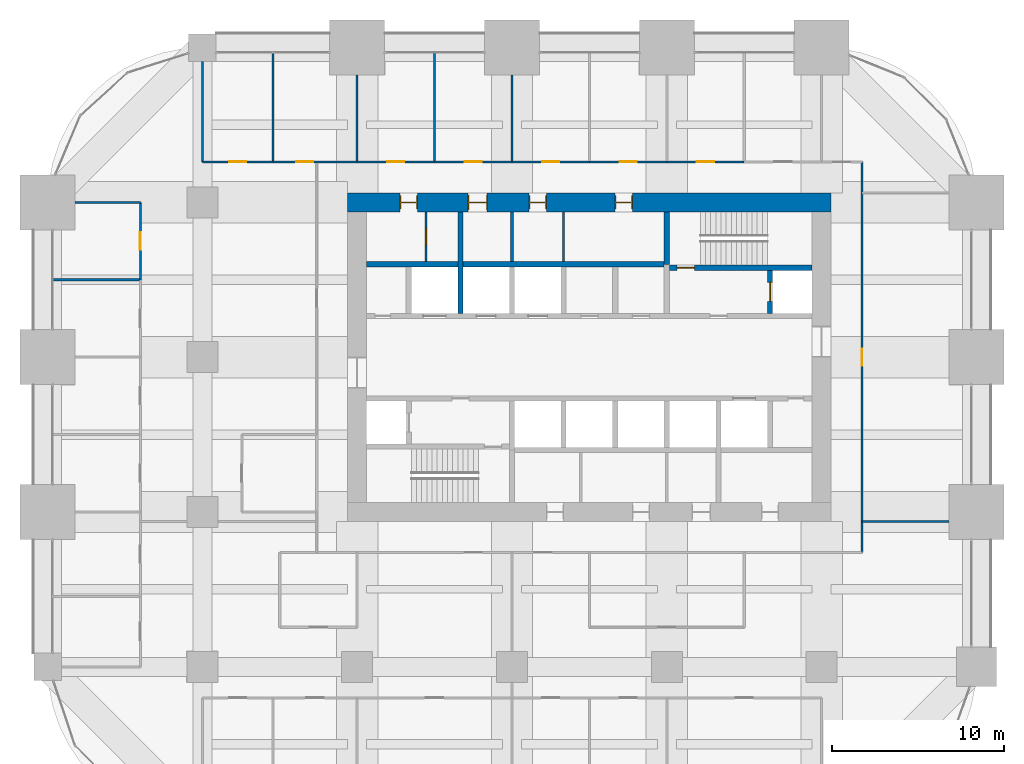
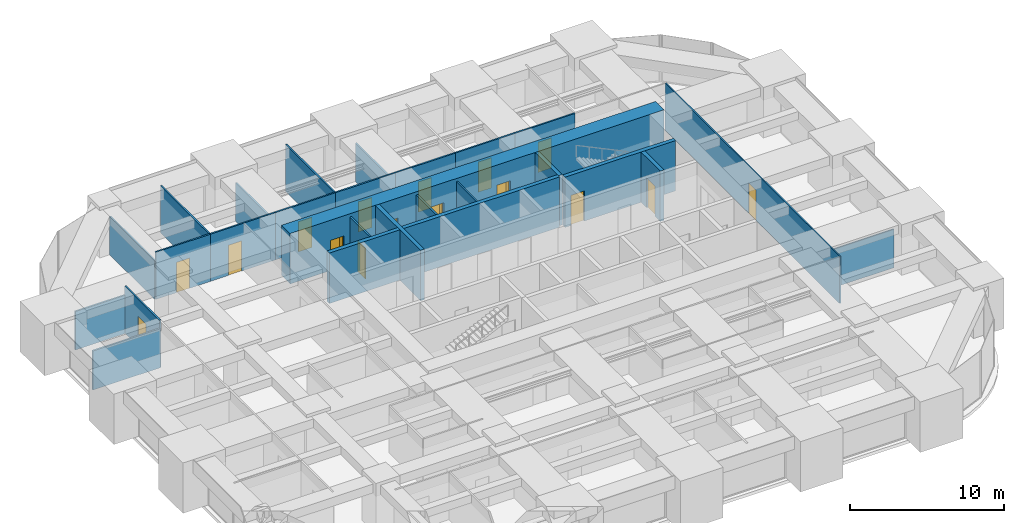
# One storey, part 33 of 36: 26 walls, 16 doors, 16 openings.
"""IFC4 building model written with IfcOpenShell, lengths in metres."""

from ifc_helpers import new_model, si_unit, direction, frame, frame_2d, origin, place, context, subcontext, project, spatial, rectangle, extrude, material, layer, layer_set, type_object, element, fill, save


model = new_model("IFC4")

# Units and contexts
model_context = context("Model", 3, precision=1e-05, world=origin(), true_north=direction((0.0, 1.0)))
body_context = subcontext(model_context, "Body", "Model", "MODEL_VIEW")
ifc_project = project(units=[si_unit("LENGTHUNIT", "METRE"), si_unit("AREAUNIT", "SQUARE_METRE"), si_unit("VOLUMEUNIT", "CUBIC_METRE"), si_unit("PLANEANGLEUNIT", "RADIAN"), si_unit("MASSUNIT", "GRAM", prefix="KILO")], contexts=[model_context])

# Site, building, storey
site_placement = place(None, origin())
site = spatial("IfcSite", under=ifc_project, at=site_placement, CompositionType="ELEMENT")
building_placement = place(site_placement, origin())
building = spatial("IfcBuilding", under=site, at=building_placement, Name="Zorevar Civic Tower", CompositionType="ELEMENT")
storey_placement = place(building_placement, frame((0.0, 0.0, 166.199951171875)))
storey = spatial("IfcBuildingStorey", under=building, at=storey_placement, Name="L40", CompositionType="ELEMENT", Elevation=166.199951171875)

# Wall, openings, doors
ifc_material_1 = material(Name="Concrete C50/60", Category="concrete")
ifc_layer_1 = layer(ifc_material_1, 1.10009765625)
ifc_layer_set_1 = layer_set([ifc_layer_1], Name="Core wall 1100")
wall_type_1 = type_object("IfcWallType", Name="Core wall 1100", PredefinedType="SHEAR", material=ifc_layer_set_1)
wall_1_placement = place(storey_placement, frame((45.550048828125, 36.0, 0.0), z_axis=(0.0, 0.0, 1.0), x_axis=(-1.0, 0.0, 0.0)))
wall_1 = element("IfcWall", 1, at=wall_1_placement, inside=storey, type_object=wall_type_1, Name="Core wall N L40", PredefinedType="SHEAR", context=body_context, shape_type="SweptSolid", body=[
    extrude(rectangle(XDim=28.10009765625, YDim=1.10009765625, at=frame_2d((14.050048828125, 0.0))), origin(), (0.0, 0.0, 1.0), 4.0),
])
opening_1_placement = place(wall_1_placement, frame((11.550048828125, 0.0, 0.0)))
opening_1 = element("IfcOpeningElement", 2, at=opening_1_placement, cuts=wall_1, Name="Opening L40.07", PredefinedType="OPENING", context=body_context, shape_type="SweptSolid", body=[
    extrude(rectangle(XDim=1.0, YDim=2.39990234375, at=frame_2d((0.5, 1.199951171875))), frame((0.0, 0.56005859375, 0.0), z_axis=(0.0, -1.0, 0.0), x_axis=(1.0, 0.0, 0.0)), (0.0, 0.0, 1.0), 1.1201171875),
])
opening_2_placement = place(wall_1_placement, frame((16.550048828125, 0.0, 0.0)))
opening_2 = element("IfcOpeningElement", 3, at=opening_2_placement, cuts=wall_1, Name="Opening L40.08", PredefinedType="OPENING", context=body_context, shape_type="SweptSolid", body=[
    extrude(rectangle(XDim=1.0, YDim=2.39990234375, at=frame_2d((0.5, 1.199951171875))), frame((0.0, 0.56005859375, 0.0), z_axis=(0.0, -1.0, 0.0), x_axis=(1.0, 0.0, 0.0)), (0.0, 0.0, 1.0), 1.1201171875),
])
opening_3_placement = place(wall_1_placement, frame((20.0, 0.0, 0.0)))
opening_3 = element("IfcOpeningElement", 4, at=opening_3_placement, cuts=wall_1, Name="Opening L40.09", PredefinedType="OPENING", context=body_context, shape_type="SweptSolid", body=[
    extrude(rectangle(XDim=1.10009765625, YDim=2.39990234375, at=frame_2d((0.550048828125, 1.199951171875))), frame((0.0, 0.56005859375, 0.0), z_axis=(0.0, -1.0, 0.0), x_axis=(1.0, 0.0, 0.0)), (0.0, 0.0, 1.0), 1.1201171875),
])
opening_4_placement = place(wall_1_placement, frame((24.050048828125, 0.0, 0.0)))
opening_4 = element("IfcOpeningElement", 5, at=opening_4_placement, cuts=wall_1, Name="Opening L40.10", PredefinedType="OPENING", context=body_context, shape_type="SweptSolid", body=[
    extrude(rectangle(XDim=1.0, YDim=2.39990234375, at=frame_2d((0.5, 1.199951171875))), frame((0.0, 0.56005859375, 0.0), z_axis=(0.0, -1.0, 0.0), x_axis=(1.0, 0.0, 0.0)), (0.0, 0.0, 1.0), 1.1201171875),
])
ifc_material_2 = material(Name="Timber door set", Category="wood")
door_type_1 = type_object("IfcDoorType", Name="Door D1 1000x2400", OperationType="SINGLE_SWING_LEFT", PredefinedType="DOOR", material=ifc_material_2)
door_1_placement = place(opening_1_placement, origin())
door_1 = element("IfcDoor", 6, at=door_1_placement, inside=storey, type_object=door_type_1, Name="Door L40 06", OperationType="SINGLE_SWING_RIGHT", OverallHeight=2.39990234375, OverallWidth=1.0, PredefinedType="DOOR", context=body_context, shape_type="SweptSolid", body=[
    extrude(rectangle(XDim=1.0, YDim=2.39990234375, at=frame_2d((0.5, 1.199951171875))), frame((0.0, 0.02490234375, 0.0), z_axis=(0.0, -1.0, 0.0), x_axis=(1.0, 0.0, 0.0)), (0.0, 0.0, 1.0), 0.050048828125),
    extrude(rectangle(XDim=0.04, YDim=2.39990234375, at=frame_2d((0.02001953125, 1.199951171875))), frame((0.0, 0.39990234375, 0.0), z_axis=(0.0, -1.0, 0.0), x_axis=(1.0, 0.0, 0.0)), (0.0, 0.0, 1.0), 0.800048828125),
    extrude(rectangle(XDim=0.04, YDim=2.39990234375, at=frame_2d((0.97998046875, 1.199951171875))), frame((0.0, 0.39990234375, 0.0), z_axis=(0.0, -1.0, 0.0), x_axis=(1.0, 0.0, 0.0)), (0.0, 0.0, 1.0), 0.800048828125),
    extrude(rectangle(XDim=1.0, YDim=0.04, at=frame_2d((0.5, 2.3798828125))), frame((0.0, 0.39990234375, 0.0), z_axis=(0.0, -1.0, 0.0), x_axis=(1.0, 0.0, 0.0)), (0.0, 0.0, 1.0), 0.800048828125),
])
fill(opening_1, door_1)
door_2_placement = place(opening_2_placement, origin())
door_2 = element("IfcDoor", 7, at=door_2_placement, inside=storey, type_object=door_type_1, Name="Door L40 07", OperationType="SINGLE_SWING_LEFT", OverallHeight=2.39990234375, OverallWidth=1.0, PredefinedType="DOOR", context=body_context, shape_type="SweptSolid", body=[
    extrude(rectangle(XDim=1.0, YDim=2.39990234375, at=frame_2d((0.5, 1.199951171875))), frame((0.0, 0.02490234375, 0.0), z_axis=(0.0, -1.0, 0.0), x_axis=(1.0, 0.0, 0.0)), (0.0, 0.0, 1.0), 0.050048828125),
    extrude(rectangle(XDim=0.04, YDim=2.39990234375, at=frame_2d((0.02001953125, 1.199951171875))), frame((0.0, 0.39990234375, 0.0), z_axis=(0.0, -1.0, 0.0), x_axis=(1.0, 0.0, 0.0)), (0.0, 0.0, 1.0), 0.800048828125),
    extrude(rectangle(XDim=0.04, YDim=2.39990234375, at=frame_2d((0.97998046875, 1.199951171875))), frame((0.0, 0.39990234375, 0.0), z_axis=(0.0, -1.0, 0.0), x_axis=(1.0, 0.0, 0.0)), (0.0, 0.0, 1.0), 0.800048828125),
    extrude(rectangle(XDim=1.0, YDim=0.04, at=frame_2d((0.5, 2.3798828125))), frame((0.0, 0.39990234375, 0.0), z_axis=(0.0, -1.0, 0.0), x_axis=(1.0, 0.0, 0.0)), (0.0, 0.0, 1.0), 0.800048828125),
])
fill(opening_2, door_2)
door_3_placement = place(opening_4_placement, origin())
door_3 = element("IfcDoor", 8, at=door_3_placement, inside=storey, type_object=door_type_1, Name="Door L40 09", OperationType="SINGLE_SWING_LEFT", OverallHeight=2.39990234375, OverallWidth=1.0, PredefinedType="DOOR", context=body_context, shape_type="SweptSolid", body=[
    extrude(rectangle(XDim=1.0, YDim=2.39990234375, at=frame_2d((0.5, 1.199951171875))), frame((0.0, 0.02490234375, 0.0), z_axis=(0.0, -1.0, 0.0), x_axis=(1.0, 0.0, 0.0)), (0.0, 0.0, 1.0), 0.050048828125),
    extrude(rectangle(XDim=0.04, YDim=2.39990234375, at=frame_2d((0.02001953125, 1.199951171875))), frame((0.0, 0.39990234375, 0.0), z_axis=(0.0, -1.0, 0.0), x_axis=(1.0, 0.0, 0.0)), (0.0, 0.0, 1.0), 0.800048828125),
    extrude(rectangle(XDim=0.04, YDim=2.39990234375, at=frame_2d((0.97998046875, 1.199951171875))), frame((0.0, 0.39990234375, 0.0), z_axis=(0.0, -1.0, 0.0), x_axis=(1.0, 0.0, 0.0)), (0.0, 0.0, 1.0), 0.800048828125),
    extrude(rectangle(XDim=1.0, YDim=0.04, at=frame_2d((0.5, 2.3798828125))), frame((0.0, 0.39990234375, 0.0), z_axis=(0.0, -1.0, 0.0), x_axis=(1.0, 0.0, 0.0)), (0.0, 0.0, 1.0), 0.800048828125),
])
fill(opening_4, door_3)
ifc_material_3 = material(Name="Timber door set", Category="wood")
door_type_2 = type_object("IfcDoorType", Name="Door D5 1100x2400", OperationType="SINGLE_SWING_LEFT", PredefinedType="DOOR", material=ifc_material_3)
door_4_placement = place(opening_3_placement, origin())
door_4 = element("IfcDoor", 9, at=door_4_placement, inside=storey, type_object=door_type_2, Name="Door L40 08", OperationType="SINGLE_SWING_LEFT", OverallHeight=2.39990234375, OverallWidth=1.10009765625, PredefinedType="DOOR", context=body_context, shape_type="SweptSolid", body=[
    extrude(rectangle(XDim=1.10009765625, YDim=2.39990234375, at=frame_2d((0.550048828125, 1.199951171875))), frame((0.0, 0.02490234375, 0.0), z_axis=(0.0, -1.0, 0.0), x_axis=(1.0, 0.0, 0.0)), (0.0, 0.0, 1.0), 0.050048828125),
    extrude(rectangle(XDim=0.04, YDim=2.39990234375, at=frame_2d((0.02001953125, 1.199951171875))), frame((0.0, 0.43994140625, 0.0), z_axis=(0.0, -1.0, 0.0), x_axis=(1.0, 0.0, 0.0)), (0.0, 0.0, 1.0), 0.880126953125),
    extrude(rectangle(XDim=0.04, YDim=2.39990234375, at=frame_2d((1.080078125, 1.199951171875))), frame((0.0, 0.43994140625, 0.0), z_axis=(0.0, -1.0, 0.0), x_axis=(1.0, 0.0, 0.0)), (0.0, 0.0, 1.0), 0.880126953125),
    extrude(rectangle(XDim=1.10009765625, YDim=0.04, at=frame_2d((0.550048828125, 2.3798828125))), frame((0.0, 0.43994140625, 0.0), z_axis=(0.0, -1.0, 0.0), x_axis=(1.0, 0.0, 0.0)), (0.0, 0.0, 1.0), 0.880126953125),
])
fill(opening_3, door_4)

# Wall
ifc_material_4 = material(Name="Laminated glass in black aluminium frame", Category="aluminium")
ifc_layer_2 = layer(ifc_material_4, 0.10009765625)
ifc_layer_set_2 = layer_set([ifc_layer_2], Name="Glazed partition 100")
wall_type_2 = type_object("IfcWallType", Name="Glazed partition 100", PredefinedType="PARTITIONING", material=ifc_layer_set_2)
wall_2_placement = place(storey_placement, frame((47.35009765625, 17.449951171875, 0.0), z_axis=(0.0, 0.0, 1.0), x_axis=(1.0, 0.0, 0.0)))
element("IfcWall", 10, at=wall_2_placement, inside=storey, type_object=wall_type_2, Name="Glazed partition 100 L40", PredefinedType="PARTITIONING", context=body_context, shape_type="SweptSolid", body=[
    extrude(rectangle(XDim=5.0498046875, YDim=0.10009765625, at=frame_2d((2.52490234375, 0.0))), origin(), (0.0, 0.0, 1.0), 3.050048828125),
])

# Wall, opening, door
wall_3_placement = place(storey_placement, frame((47.35009765625, 15.64990234375, 0.0), z_axis=(0.0, 0.0, 1.0), x_axis=(0.0, 1.0, 0.0)))
wall_3 = element("IfcWall", 11, at=wall_3_placement, inside=storey, type_object=wall_type_2, Name="Glazed partition 100 L40", PredefinedType="PARTITIONING", context=body_context, shape_type="SweptSolid", body=[
    extrude(rectangle(XDim=22.7001953125, YDim=0.10009765625, at=frame_2d((11.35009765625, 0.0))), origin(), (0.0, 0.0, 1.0), 3.75),
])
opening_5_placement = place(wall_3_placement, frame((10.85009765625, 0.0, 0.0)))
opening_5 = element("IfcOpeningElement", 12, at=opening_5_placement, cuts=wall_3, Name="Opening L40.44", PredefinedType="OPENING", context=body_context, shape_type="SweptSolid", body=[
    extrude(rectangle(XDim=1.0, YDim=2.39990234375, at=frame_2d((0.5, 1.199951171875))), frame((0.0, 0.06005859375, 0.0), z_axis=(0.0, -1.0, 0.0), x_axis=(1.0, 0.0, 0.0)), (0.0, 0.0, 1.0), 0.1201171875),
])
ifc_material_5 = material(Name="Timber door set", Category="wood")
door_type_3 = type_object("IfcDoorType", Name="Glazed door GD1 1000x2400", OperationType="SINGLE_SWING_LEFT", PredefinedType="DOOR", material=ifc_material_5)
door_5_placement = place(opening_5_placement, origin())
door_5 = element("IfcDoor", 13, at=door_5_placement, inside=storey, type_object=door_type_3, Name="Door L40 D1", OperationType="SINGLE_SWING_RIGHT", OverallHeight=2.39990234375, OverallWidth=1.0, PredefinedType="DOOR", context=body_context, shape_type="SweptSolid", body=[
    extrude(rectangle(XDim=1.0, YDim=2.39990234375, at=frame_2d((0.5, 1.199951171875))), frame((0.0, 0.02001953125, 0.0), z_axis=(0.0, -1.0, 0.0), x_axis=(1.0, 0.0, 0.0)), (0.0, 0.0, 1.0), 0.0400390625),
])
fill(opening_5, door_5)

ifc_material_6 = material(Name="Concrete C40/50", Category="concrete")
ifc_layer_3 = layer(ifc_material_6, 0.300048828125)
ifc_layer_set_3 = layer_set([ifc_layer_3], Name="Inner core wall 300")
wall_type_3 = type_object("IfcWallType", Name="Inner core wall 300", PredefinedType="SHEAR", material=ifc_layer_set_3)
wall_4_placement = place(storey_placement, frame((36.14990234375, 32.199951171875, 0.0), z_axis=(0.0, 0.0, 1.0), x_axis=(1.0, 0.0, 0.0)))
wall_4 = element("IfcWall", 14, at=wall_4_placement, inside=storey, type_object=wall_type_3, Name="Inner core wall N00 L40", PredefinedType="SHEAR", context=body_context, shape_type="SweptSolid", body=[
    extrude(rectangle(XDim=8.300048828125, YDim=0.300048828125, at=frame_2d((4.14990234375, 0.0))), origin(), (0.0, 0.0, 1.0), 4.0),
])
opening_6_placement = place(wall_4_placement, frame((0.449951171875, 0.0, 0.0)))
opening_6 = element("IfcOpeningElement", 15, at=opening_6_placement, cuts=wall_4, Name="Opening L40.12", PredefinedType="OPENING", context=body_context, shape_type="SweptSolid", body=[
    extrude(rectangle(XDim=1.0, YDim=2.39990234375, at=frame_2d((0.5, 1.199951171875))), frame((0.0, 0.159912109375, 0.0), z_axis=(0.0, -1.0, 0.0), x_axis=(1.0, 0.0, 0.0)), (0.0, 0.0, 1.0), 0.320068359375),
])
ifc_material_7 = material(Name="Steel door set", Category="steel")
door_type_4 = type_object("IfcDoorType", Name="Fire door FD1 1000x2400", OperationType="SINGLE_SWING_LEFT", PredefinedType="DOOR", material=ifc_material_7)
door_6_placement = place(opening_6_placement, origin())
door_6 = element("IfcDoor", 16, at=door_6_placement, inside=storey, type_object=door_type_4, Name="Door L40 11", OperationType="SINGLE_SWING_RIGHT", OverallHeight=2.39990234375, OverallWidth=1.0, PredefinedType="DOOR", context=body_context, shape_type="SweptSolid", body=[
    extrude(rectangle(XDim=1.0, YDim=2.39990234375, at=frame_2d((0.5, 1.199951171875))), frame((0.0, 0.030029296875, 0.0), z_axis=(0.0, -1.0, 0.0), x_axis=(1.0, 0.0, 0.0)), (0.0, 0.0, 1.0), 0.06005859375),
])
fill(opening_6, door_6)

# Wall
wall_5_placement = place(storey_placement, frame((36.0, 32.39990234375, 0.0), z_axis=(0.0, 0.0, 1.0), x_axis=(0.0, 1.0, 0.0)))
element("IfcWall", 17, at=wall_5_placement, inside=storey, type_object=wall_type_3, Name="Inner core wall N01 L40", PredefinedType="SHEAR", context=body_context, shape_type="SweptSolid", body=[
    extrude(rectangle(XDim=3.050048828125, YDim=0.300048828125, at=frame_2d((1.52490234375, 0.0))), origin(), (0.0, 0.0, 1.0), 4.0),
])

# Wall, opening, door
wall_6_placement = place(storey_placement, frame((42.0, 29.550048828125, 0.0), z_axis=(0.0, 0.0, 1.0), x_axis=(0.0, 1.0, 0.0)))
wall_6 = element("IfcWall", 18, at=wall_6_placement, inside=storey, type_object=wall_type_3, Name="Inner core wall N02 L40", PredefinedType="SHEAR", context=body_context, shape_type="SweptSolid", body=[
    extrude(rectangle(XDim=2.5, YDim=0.300048828125, at=frame_2d((1.25, 0.0))), origin(), (0.0, 0.0, 1.0), 4.0),
])
opening_7_placement = place(wall_6_placement, frame((0.699951171875, 0.0, 0.0)))
opening_7 = element("IfcOpeningElement", 19, at=opening_7_placement, cuts=wall_6, Name="Opening L40.FL2", PredefinedType="OPENING", context=body_context, shape_type="SweptSolid", body=[
    extrude(rectangle(XDim=1.10009765625, YDim=2.39990234375, at=frame_2d((0.550048828125, 1.199951171875))), frame((0.0, 0.159912109375, 0.0), z_axis=(0.0, -1.0, 0.0), x_axis=(1.0, 0.0, 0.0)), (0.0, 0.0, 1.0), 0.320068359375),
])
ifc_material_8 = material(Name="Steel door set", Category="steel")
door_type_5 = type_object("IfcDoorType", Name="Firefighting lift landing door LD3 1100x2400", OperationType="DOUBLE_DOOR_SLIDING", PredefinedType="DOOR", material=ifc_material_8)
door_7_placement = place(opening_7_placement, origin())
door_7 = element("IfcDoor", 20, at=door_7_placement, inside=storey, type_object=door_type_5, Name="Landing door FL2 L40", OperationType="DOUBLE_DOOR_SLIDING", OverallHeight=2.39990234375, OverallWidth=1.10009765625, PredefinedType="DOOR", context=body_context, shape_type="SweptSolid", body=[
    extrude(rectangle(XDim=1.10009765625, YDim=2.39990234375, at=frame_2d((0.550048828125, 1.199951171875))), frame((0.0, 0.030029296875, 0.0), z_axis=(0.0, -1.0, 0.0), x_axis=(1.0, 0.0, 0.0)), (0.0, 0.0, 1.0), 0.06005859375),
])
fill(opening_7, door_7)

# Walls
wall_7_placement = place(storey_placement, frame((18.550048828125, 32.39990234375, 0.0), z_axis=(0.0, 0.0, 1.0), x_axis=(1.0, 0.0, 0.0)))
element("IfcWall", 21, at=wall_7_placement, inside=storey, type_object=wall_type_3, Name="Inner core wall N04 L40", PredefinedType="SHEAR", context=body_context, shape_type="SweptSolid", body=[
    extrude(rectangle(XDim=17.300048828125, YDim=0.300048828125, at=frame_2d((8.64990234375, 0.0))), origin(), (0.0, 0.0, 1.0), 4.0),
])
wall_8_placement = place(storey_placement, frame((24.0, 29.550048828125, 0.0), z_axis=(0.0, 0.0, 1.0), x_axis=(0.0, 1.0, 0.0)))
element("IfcWall", 22, at=wall_8_placement, inside=storey, type_object=wall_type_3, Name="Inner core wall N08 L40", PredefinedType="SHEAR", context=body_context, shape_type="SweptSolid", body=[
    extrude(rectangle(XDim=5.89990234375, YDim=0.300048828125, at=frame_2d((2.949951171875, 0.0))), origin(), (0.0, 0.0, 1.0), 4.0),
])
ifc_material_9 = material(Name="Gypsum board on steel studs", Category="steel")
ifc_layer_4 = layer(ifc_material_9, 0.1201171875)
ifc_layer_set_4 = layer_set([ifc_layer_4], Name="Partition 120")
wall_type_4 = type_object("IfcWallType", Name="Partition 120", PredefinedType="PARTITIONING", material=ifc_layer_set_4)
wall_9_placement = place(storey_placement, frame((0.31005859375, 31.5, 0.0), z_axis=(0.0, 0.0, 1.0), x_axis=(1.0, 0.0, 0.0)))
element("IfcWall", 23, at=wall_9_placement, inside=storey, type_object=wall_type_4, Name="Partition 120 L40", PredefinedType="PARTITIONING", context=body_context, shape_type="SweptSolid", body=[
    extrude(rectangle(XDim=5.08984375, YDim=0.1201171875, at=frame_2d((2.544921875, 0.0))), origin(), (0.0, 0.0, 1.0), 3.10009765625),
])
wall_10_placement = place(storey_placement, frame((1.60009765625, 36.0, 0.0), z_axis=(0.0, 0.0, 1.0), x_axis=(1.0, 0.0, 0.0)))
element("IfcWall", 24, at=wall_10_placement, inside=storey, type_object=wall_type_4, Name="Partition 120 L40", PredefinedType="PARTITIONING", context=body_context, shape_type="SweptSolid", body=[
    extrude(rectangle(XDim=3.7998046875, YDim=0.1201171875, at=frame_2d((1.89990234375, 0.0))), origin(), (0.0, 0.0, 1.0), 3.050048828125),
])

# Wall, opening, door
wall_11_placement = place(storey_placement, frame((9.0, 38.35009765625, 0.0), z_axis=(0.0, 0.0, 1.0), x_axis=(1.0, 0.0, 0.0)))
wall_11 = element("IfcWall", 25, at=wall_11_placement, inside=storey, type_object=wall_type_4, Name="Partition 120 L40", PredefinedType="PARTITIONING", context=body_context, shape_type="SweptSolid", body=[
    extrude(rectangle(XDim=4.10009765625, YDim=0.1201171875, at=frame_2d((2.050048828125, 0.0))), origin(), (0.0, 0.0, 1.0), 3.75),
])
opening_8_placement = place(wall_11_placement, frame((1.550048828125, 0.0, 0.0)))
opening_8 = element("IfcOpeningElement", 26, at=opening_8_placement, cuts=wall_11, Name="Opening L40.27", PredefinedType="OPENING", context=body_context, shape_type="SweptSolid", body=[
    extrude(rectangle(XDim=1.0, YDim=2.39990234375, at=frame_2d((0.5, 1.199951171875))), frame((0.0, 0.070068359375, 0.0), z_axis=(0.0, -1.0, 0.0), x_axis=(1.0, 0.0, 0.0)), (0.0, 0.0, 1.0), 0.14013671875),
])
door_8_placement = place(opening_8_placement, origin())
door_8 = element("IfcDoor", 27, at=door_8_placement, inside=storey, type_object=door_type_1, Name="Door L40 D1", OperationType="SINGLE_SWING_RIGHT", OverallHeight=2.39990234375, OverallWidth=1.0, PredefinedType="DOOR", context=body_context, shape_type="SweptSolid", body=[
    extrude(rectangle(XDim=1.0, YDim=2.39990234375, at=frame_2d((0.5, 1.199951171875))), frame((0.0, 0.02490234375, 0.0), z_axis=(0.0, -1.0, 0.0), x_axis=(1.0, 0.0, 0.0)), (0.0, 0.0, 1.0), 0.050048828125),
])
fill(opening_8, door_8)

wall_12_placement = place(storey_placement, frame((13.10009765625, 38.35009765625, 0.0), z_axis=(0.0, 0.0, 1.0), x_axis=(1.0, 0.0, 0.0)))
wall_12 = element("IfcWall", 28, at=wall_12_placement, inside=storey, type_object=wall_type_4, Name="Partition 120 L40", PredefinedType="PARTITIONING", context=body_context, shape_type="SweptSolid", body=[
    extrude(rectangle(XDim=4.89990234375, YDim=0.1201171875, at=frame_2d((2.449951171875, 0.0))), origin(), (0.0, 0.0, 1.0), 3.75),
])
opening_9_placement = place(wall_12_placement, frame((1.35009765625, 0.0, 0.0)))
opening_9 = element("IfcOpeningElement", 29, at=opening_9_placement, cuts=wall_12, Name="Opening L40.28", PredefinedType="OPENING", context=body_context, shape_type="SweptSolid", body=[
    extrude(rectangle(XDim=1.0, YDim=2.39990234375, at=frame_2d((0.5, 1.199951171875))), frame((0.0, 0.070068359375, 0.0), z_axis=(0.0, -1.0, 0.0), x_axis=(1.0, 0.0, 0.0)), (0.0, 0.0, 1.0), 0.14013671875),
])
door_9_placement = place(opening_9_placement, origin())
door_9 = element("IfcDoor", 30, at=door_9_placement, inside=storey, type_object=door_type_1, Name="Door L40 D1", OperationType="SINGLE_SWING_LEFT", OverallHeight=2.39990234375, OverallWidth=1.0, PredefinedType="DOOR", context=body_context, shape_type="SweptSolid", body=[
    extrude(rectangle(XDim=1.0, YDim=2.39990234375, at=frame_2d((0.5, 1.199951171875))), frame((0.0, 0.02490234375, 0.0), z_axis=(0.0, -1.0, 0.0), x_axis=(1.0, 0.0, 0.0)), (0.0, 0.0, 1.0), 0.050048828125),
])
fill(opening_9, door_9)

wall_13_placement = place(storey_placement, frame((18.0, 38.35009765625, 0.0), z_axis=(0.0, 0.0, 1.0), x_axis=(1.0, 0.0, 0.0)))
wall_13 = element("IfcWall", 31, at=wall_13_placement, inside=storey, type_object=wall_type_4, Name="Partition 120 L40", PredefinedType="PARTITIONING", context=body_context, shape_type="SweptSolid", body=[
    extrude(rectangle(XDim=4.5, YDim=0.1201171875, at=frame_2d((2.25, 0.0))), origin(), (0.0, 0.0, 1.0), 3.75),
])
opening_10_placement = place(wall_13_placement, frame((1.75, 0.0, 0.0)))
opening_10 = element("IfcOpeningElement", 32, at=opening_10_placement, cuts=wall_13, Name="Opening L40.29", PredefinedType="OPENING", context=body_context, shape_type="SweptSolid", body=[
    extrude(rectangle(XDim=1.0, YDim=2.39990234375, at=frame_2d((0.5, 1.199951171875))), frame((0.0, 0.070068359375, 0.0), z_axis=(0.0, -1.0, 0.0), x_axis=(1.0, 0.0, 0.0)), (0.0, 0.0, 1.0), 0.14013671875),
])
door_10_placement = place(opening_10_placement, origin())
door_10 = element("IfcDoor", 33, at=door_10_placement, inside=storey, type_object=door_type_1, Name="Door L40 D1", OperationType="SINGLE_SWING_RIGHT", OverallHeight=2.39990234375, OverallWidth=1.0, PredefinedType="DOOR", context=body_context, shape_type="SweptSolid", body=[
    extrude(rectangle(XDim=1.0, YDim=2.39990234375, at=frame_2d((0.5, 1.199951171875))), frame((0.0, 0.02490234375, 0.0), z_axis=(0.0, -1.0, 0.0), x_axis=(1.0, 0.0, 0.0)), (0.0, 0.0, 1.0), 0.050048828125),
])
fill(opening_10, door_10)

wall_14_placement = place(storey_placement, frame((22.5, 38.35009765625, 0.0), z_axis=(0.0, 0.0, 1.0), x_axis=(1.0, 0.0, 0.0)))
wall_14 = element("IfcWall", 34, at=wall_14_placement, inside=storey, type_object=wall_type_4, Name="Partition 120 L40", PredefinedType="PARTITIONING", context=body_context, shape_type="SweptSolid", body=[
    extrude(rectangle(XDim=4.5, YDim=0.1201171875, at=frame_2d((2.25, 0.0))), origin(), (0.0, 0.0, 1.0), 3.75),
])
opening_11_placement = place(wall_14_placement, frame((1.75, 0.0, 0.0)))
opening_11 = element("IfcOpeningElement", 35, at=opening_11_placement, cuts=wall_14, Name="Opening L40.30", PredefinedType="OPENING", context=body_context, shape_type="SweptSolid", body=[
    extrude(rectangle(XDim=1.0, YDim=2.39990234375, at=frame_2d((0.5, 1.199951171875))), frame((0.0, 0.070068359375, 0.0), z_axis=(0.0, -1.0, 0.0), x_axis=(1.0, 0.0, 0.0)), (0.0, 0.0, 1.0), 0.14013671875),
])
door_11_placement = place(opening_11_placement, origin())
door_11 = element("IfcDoor", 36, at=door_11_placement, inside=storey, type_object=door_type_1, Name="Door L40 D1", OperationType="SINGLE_SWING_LEFT", OverallHeight=2.39990234375, OverallWidth=1.0, PredefinedType="DOOR", context=body_context, shape_type="SweptSolid", body=[
    extrude(rectangle(XDim=1.0, YDim=2.39990234375, at=frame_2d((0.5, 1.199951171875))), frame((0.0, 0.02490234375, 0.0), z_axis=(0.0, -1.0, 0.0), x_axis=(1.0, 0.0, 0.0)), (0.0, 0.0, 1.0), 0.050048828125),
])
fill(opening_11, door_11)

wall_15_placement = place(storey_placement, frame((27.0, 38.35009765625, 0.0), z_axis=(0.0, 0.0, 1.0), x_axis=(1.0, 0.0, 0.0)))
wall_15 = element("IfcWall", 37, at=wall_15_placement, inside=storey, type_object=wall_type_4, Name="Partition 120 L40", PredefinedType="PARTITIONING", context=body_context, shape_type="SweptSolid", body=[
    extrude(rectangle(XDim=4.5, YDim=0.1201171875, at=frame_2d((2.25, 0.0))), origin(), (0.0, 0.0, 1.0), 3.75),
])
opening_12_placement = place(wall_15_placement, frame((1.75, 0.0, 0.0)))
opening_12 = element("IfcOpeningElement", 38, at=opening_12_placement, cuts=wall_15, Name="Opening L40.31", PredefinedType="OPENING", context=body_context, shape_type="SweptSolid", body=[
    extrude(rectangle(XDim=1.0, YDim=2.39990234375, at=frame_2d((0.5, 1.199951171875))), frame((0.0, 0.070068359375, 0.0), z_axis=(0.0, -1.0, 0.0), x_axis=(1.0, 0.0, 0.0)), (0.0, 0.0, 1.0), 0.14013671875),
])
door_12_placement = place(opening_12_placement, origin())
door_12 = element("IfcDoor", 39, at=door_12_placement, inside=storey, type_object=door_type_1, Name="Door L40 D1", OperationType="SINGLE_SWING_RIGHT", OverallHeight=2.39990234375, OverallWidth=1.0, PredefinedType="DOOR", context=body_context, shape_type="SweptSolid", body=[
    extrude(rectangle(XDim=1.0, YDim=2.39990234375, at=frame_2d((0.5, 1.199951171875))), frame((0.0, 0.02490234375, 0.0), z_axis=(0.0, -1.0, 0.0), x_axis=(1.0, 0.0, 0.0)), (0.0, 0.0, 1.0), 0.050048828125),
])
fill(opening_12, door_12)

wall_16_placement = place(storey_placement, frame((31.5, 38.35009765625, 0.0), z_axis=(0.0, 0.0, 1.0), x_axis=(1.0, 0.0, 0.0)))
wall_16 = element("IfcWall", 40, at=wall_16_placement, inside=storey, type_object=wall_type_4, Name="Partition 120 L40", PredefinedType="PARTITIONING", context=body_context, shape_type="SweptSolid", body=[
    extrude(rectangle(XDim=4.5, YDim=0.1201171875, at=frame_2d((2.25, 0.0))), origin(), (0.0, 0.0, 1.0), 3.75),
])
opening_13_placement = place(wall_16_placement, frame((1.75, 0.0, 0.0)))
opening_13 = element("IfcOpeningElement", 41, at=opening_13_placement, cuts=wall_16, Name="Opening L40.32", PredefinedType="OPENING", context=body_context, shape_type="SweptSolid", body=[
    extrude(rectangle(XDim=1.0, YDim=2.39990234375, at=frame_2d((0.5, 1.199951171875))), frame((0.0, 0.070068359375, 0.0), z_axis=(0.0, -1.0, 0.0), x_axis=(1.0, 0.0, 0.0)), (0.0, 0.0, 1.0), 0.14013671875),
])
door_13_placement = place(opening_13_placement, origin())
door_13 = element("IfcDoor", 42, at=door_13_placement, inside=storey, type_object=door_type_1, Name="Door L40 D1", OperationType="SINGLE_SWING_LEFT", OverallHeight=2.39990234375, OverallWidth=1.0, PredefinedType="DOOR", context=body_context, shape_type="SweptSolid", body=[
    extrude(rectangle(XDim=1.0, YDim=2.39990234375, at=frame_2d((0.5, 1.199951171875))), frame((0.0, 0.02490234375, 0.0), z_axis=(0.0, -1.0, 0.0), x_axis=(1.0, 0.0, 0.0)), (0.0, 0.0, 1.0), 0.050048828125),
])
fill(opening_13, door_13)

wall_17_placement = place(storey_placement, frame((36.0, 38.35009765625, 0.0), z_axis=(0.0, 0.0, 1.0), x_axis=(1.0, 0.0, 0.0)))
wall_17 = element("IfcWall", 43, at=wall_17_placement, inside=storey, type_object=wall_type_4, Name="Partition 120 L40", PredefinedType="PARTITIONING", context=body_context, shape_type="SweptSolid", body=[
    extrude(rectangle(XDim=4.5, YDim=0.1201171875, at=frame_2d((2.25, 0.0))), origin(), (0.0, 0.0, 1.0), 3.75),
])
opening_14_placement = place(wall_17_placement, frame((1.75, 0.0, 0.0)))
opening_14 = element("IfcOpeningElement", 44, at=opening_14_placement, cuts=wall_17, Name="Opening L40.33", PredefinedType="OPENING", context=body_context, shape_type="SweptSolid", body=[
    extrude(rectangle(XDim=1.0, YDim=2.39990234375, at=frame_2d((0.5, 1.199951171875))), frame((0.0, 0.070068359375, 0.0), z_axis=(0.0, -1.0, 0.0), x_axis=(1.0, 0.0, 0.0)), (0.0, 0.0, 1.0), 0.14013671875),
])
door_14_placement = place(opening_14_placement, origin())
door_14 = element("IfcDoor", 45, at=door_14_placement, inside=storey, type_object=door_type_1, Name="Door L40 D1", OperationType="SINGLE_SWING_RIGHT", OverallHeight=2.39990234375, OverallWidth=1.0, PredefinedType="DOOR", context=body_context, shape_type="SweptSolid", body=[
    extrude(rectangle(XDim=1.0, YDim=2.39990234375, at=frame_2d((0.5, 1.199951171875))), frame((0.0, 0.02490234375, 0.0), z_axis=(0.0, -1.0, 0.0), x_axis=(1.0, 0.0, 0.0)), (0.0, 0.0, 1.0), 0.050048828125),
])
fill(opening_14, door_14)

wall_18_placement = place(storey_placement, frame((5.39990234375, 31.5, 0.0), z_axis=(0.0, 0.0, 1.0), x_axis=(0.0, 1.0, 0.0)))
wall_18 = element("IfcWall", 46, at=wall_18_placement, inside=storey, type_object=wall_type_4, Name="Partition 120 L40", PredefinedType="PARTITIONING", context=body_context, shape_type="SweptSolid", body=[
    extrude(rectangle(XDim=4.5, YDim=0.1201171875, at=frame_2d((2.25, 0.0))), origin(), (0.0, 0.0, 1.0), 3.75),
])
opening_15_placement = place(wall_18_placement, frame((1.75, 0.0, 0.0)))
opening_15 = element("IfcOpeningElement", 47, at=opening_15_placement, cuts=wall_18, Name="Opening L40.41", PredefinedType="OPENING", context=body_context, shape_type="SweptSolid", body=[
    extrude(rectangle(XDim=1.0, YDim=2.39990234375, at=frame_2d((0.5, 1.199951171875))), frame((0.0, 0.070068359375, 0.0), z_axis=(0.0, -1.0, 0.0), x_axis=(1.0, 0.0, 0.0)), (0.0, 0.0, 1.0), 0.14013671875),
])
door_15_placement = place(opening_15_placement, origin())
door_15 = element("IfcDoor", 48, at=door_15_placement, inside=storey, type_object=door_type_1, Name="Door L40 D1", OperationType="SINGLE_SWING_RIGHT", OverallHeight=2.39990234375, OverallWidth=1.0, PredefinedType="DOOR", context=body_context, shape_type="SweptSolid", body=[
    extrude(rectangle(XDim=1.0, YDim=2.39990234375, at=frame_2d((0.5, 1.199951171875))), frame((0.0, 0.02490234375, 0.0), z_axis=(0.0, -1.0, 0.0), x_axis=(1.0, 0.0, 0.0)), (0.0, 0.0, 1.0), 0.050048828125),
])
fill(opening_15, door_15)

# Walls
wall_19_placement = place(storey_placement, frame((9.0, 38.35009765625, 0.0), z_axis=(0.0, 0.0, 1.0), x_axis=(0.0, 1.0, 0.0)))
element("IfcWall", 49, at=wall_19_placement, inside=storey, type_object=wall_type_4, Name="Partition 120 L40", PredefinedType="PARTITIONING", context=body_context, shape_type="SweptSolid", body=[
    extrude(rectangle(XDim=5.849853515625, YDim=0.1201171875, at=frame_2d((2.9248046875, 0.0))), origin(), (0.0, 0.0, 1.0), 3.050048828125),
])
wall_20_placement = place(storey_placement, frame((13.10009765625, 38.35009765625, 0.0), z_axis=(0.0, 0.0, 1.0), x_axis=(0.0, 1.0, 0.0)))
element("IfcWall", 50, at=wall_20_placement, inside=storey, type_object=wall_type_4, Name="Partition 120 L40", PredefinedType="PARTITIONING", context=body_context, shape_type="SweptSolid", body=[
    extrude(rectangle(XDim=6.33984375, YDim=0.1201171875, at=frame_2d((3.169921875, 0.0))), origin(), (0.0, 0.0, 1.0), 3.75),
])
wall_21_placement = place(storey_placement, frame((18.0, 38.35009765625, 0.0), z_axis=(0.0, 0.0, 1.0), x_axis=(0.0, 1.0, 0.0)))
element("IfcWall", 51, at=wall_21_placement, inside=storey, type_object=wall_type_4, Name="Partition 120 L40", PredefinedType="PARTITIONING", context=body_context, shape_type="SweptSolid", body=[
    extrude(rectangle(XDim=5.0498046875, YDim=0.1201171875, at=frame_2d((2.52490234375, 0.0))), origin(), (0.0, 0.0, 1.0), 3.050048828125),
])
wall_22_placement = place(storey_placement, frame((22.5, 38.35009765625, 0.0), z_axis=(0.0, 0.0, 1.0), x_axis=(0.0, 1.0, 0.0)))
element("IfcWall", 52, at=wall_22_placement, inside=storey, type_object=wall_type_4, Name="Partition 120 L40", PredefinedType="PARTITIONING", context=body_context, shape_type="SweptSolid", body=[
    extrude(rectangle(XDim=6.33984375, YDim=0.1201171875, at=frame_2d((3.169921875, 0.0))), origin(), (0.0, 0.0, 1.0), 3.75),
])
wall_23_placement = place(storey_placement, frame((27.0, 38.35009765625, 0.0), z_axis=(0.0, 0.0, 1.0), x_axis=(0.0, 1.0, 0.0)))
element("IfcWall", 53, at=wall_23_placement, inside=storey, type_object=wall_type_4, Name="Partition 120 L40", PredefinedType="PARTITIONING", context=body_context, shape_type="SweptSolid", body=[
    extrude(rectangle(XDim=5.0498046875, YDim=0.1201171875, at=frame_2d((2.52490234375, 0.0))), origin(), (0.0, 0.0, 1.0), 3.050048828125),
])
wall_24_placement = place(storey_placement, frame((30.0, 32.550048828125, 0.0), z_axis=(0.0, 0.0, 1.0), x_axis=(0.0, 1.0, 0.0)))
element("IfcWall", 54, at=wall_24_placement, inside=storey, type_object=wall_type_4, Name="Partition L40", PredefinedType="PARTITIONING", context=body_context, shape_type="SweptSolid", body=[
    extrude(rectangle(XDim=2.89990234375, YDim=0.1201171875, at=frame_2d((1.449951171875, 0.0))), origin(), (0.0, 0.0, 1.0), 3.75),
])

# Wall, opening, door
wall_25_placement = place(storey_placement, frame((22.0, 32.550048828125, 0.0), z_axis=(0.0, 0.0, 1.0), x_axis=(0.0, 1.0, 0.0)))
wall_25 = element("IfcWall", 55, at=wall_25_placement, inside=storey, type_object=wall_type_4, Name="Partition L40", PredefinedType="PARTITIONING", context=body_context, shape_type="SweptSolid", body=[
    extrude(rectangle(XDim=2.89990234375, YDim=0.1201171875, at=frame_2d((1.449951171875, 0.0))), origin(), (0.0, 0.0, 1.0), 3.75),
])
opening_16_placement = place(wall_25_placement, frame((0.949951171875, 0.0, 0.0)))
opening_16 = element("IfcOpeningElement", 56, at=opening_16_placement, cuts=wall_25, Name="Opening L40.45", PredefinedType="OPENING", context=body_context, shape_type="SweptSolid", body=[
    extrude(rectangle(XDim=1.0, YDim=2.39990234375, at=frame_2d((0.5, 1.199951171875))), frame((0.0, 0.070068359375, 0.0), z_axis=(0.0, -1.0, 0.0), x_axis=(1.0, 0.0, 0.0)), (0.0, 0.0, 1.0), 0.14013671875),
])
door_16_placement = place(opening_16_placement, origin())
door_16 = element("IfcDoor", 57, at=door_16_placement, inside=storey, type_object=door_type_4, Name="Door L40 EN", OperationType="SINGLE_SWING_RIGHT", OverallHeight=2.39990234375, OverallWidth=1.0, PredefinedType="DOOR", context=body_context, shape_type="SweptSolid", body=[
    extrude(rectangle(XDim=1.0, YDim=2.39990234375, at=frame_2d((0.5, 1.199951171875))), frame((0.0, 0.030029296875, 0.0), z_axis=(0.0, -1.0, 0.0), x_axis=(1.0, 0.0, 0.0)), (0.0, 0.0, 1.0), 0.06005859375),
])
fill(opening_16, door_16)

# Wall
ifc_material_10 = material(Name="Gypsum board on steel studs, moisture resistant", Category="steel")
ifc_layer_5 = layer(ifc_material_10, 0.14990234375)
ifc_layer_set_5 = layer_set([ifc_layer_5], Name="WC partition 150")
wall_type_5 = type_object("IfcWallType", Name="WC partition 150", PredefinedType="PARTITIONING", material=ifc_layer_set_5)
wall_26_placement = place(storey_placement, frame((27.0, 32.550048828125, 0.0), z_axis=(0.0, 0.0, 1.0), x_axis=(0.0, 1.0, 0.0)))
element("IfcWall", 58, at=wall_26_placement, inside=storey, type_object=wall_type_5, Name="WC partition L40", PredefinedType="PARTITIONING", context=body_context, shape_type="SweptSolid", body=[
    extrude(rectangle(XDim=2.89990234375, YDim=0.14990234375, at=frame_2d((1.449951171875, 0.0))), origin(), (0.0, 0.0, 1.0), 3.75),
])

save(model, "model.ifc")
